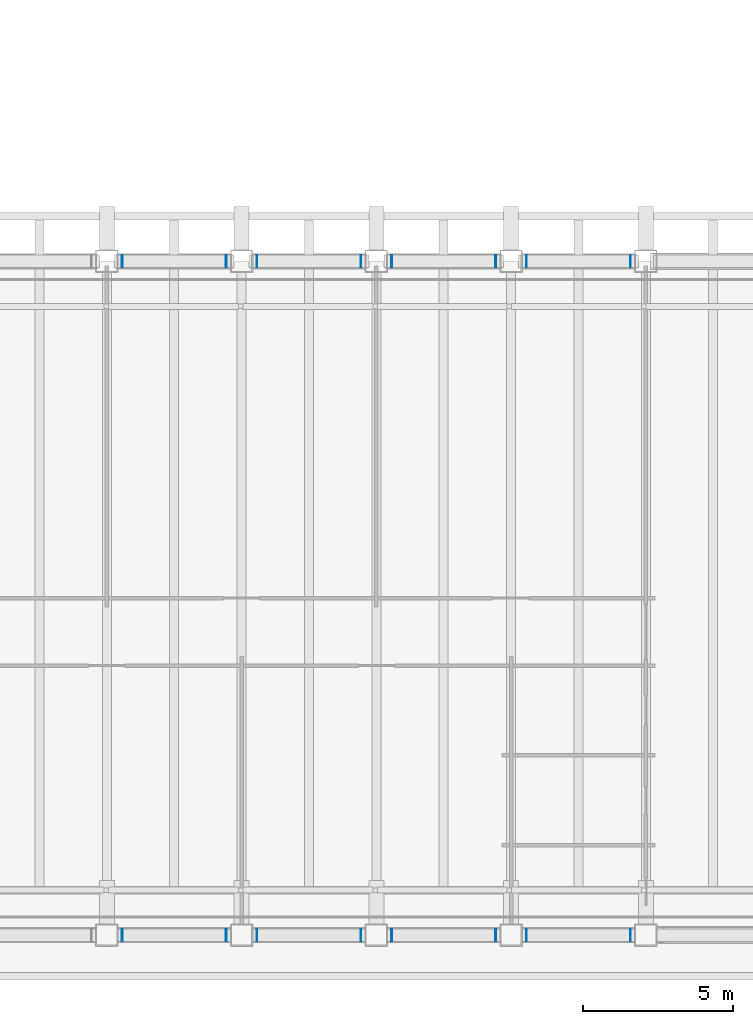
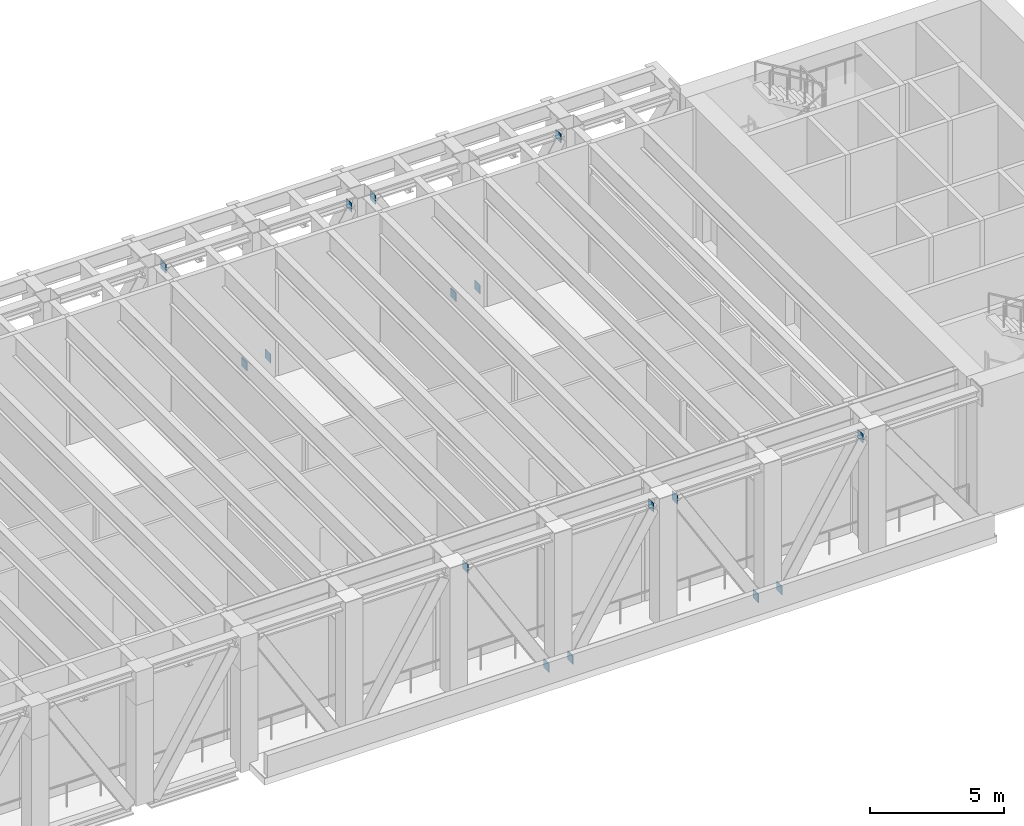
# One storey, part 8 of 20: 16 plates.
"""IFC4 building model written with IfcOpenShell, lengths in metres."""

from ifc_helpers import new_model, si_unit, direction, frame, origin, origin_2d, place, context, subcontext, project, spatial, rectangle, extrude, material, layer, layer_set, type_object, element, save


model = new_model("IFC4")

# Units and contexts
model_context = context("Model", 3, precision=1e-05, world=origin(), true_north=direction((0.0, 1.0)))
body_context = subcontext(model_context, "Body", "Model", "MODEL_VIEW")
ifc_project = project(units=[si_unit("LENGTHUNIT", "METRE"), si_unit("AREAUNIT", "SQUARE_METRE"), si_unit("VOLUMEUNIT", "CUBIC_METRE"), si_unit("PLANEANGLEUNIT", "RADIAN"), si_unit("MASSUNIT", "GRAM", prefix="KILO")], contexts=[model_context])

# Site, building, storey
site_placement = place(None, origin())
site = spatial("IfcSite", under=ifc_project, at=site_placement, CompositionType="ELEMENT")
building_placement = place(site_placement, origin())
building = spatial("IfcBuilding", under=site, at=building_placement, Name="Sennacour Bend Tower", CompositionType="ELEMENT")
storey_placement = place(building_placement, frame((0.0, 0.0, 243.0)))
storey = spatial("IfcBuildingStorey", under=building, at=storey_placement, Name="L56", CompositionType="ELEMENT", Elevation=243.0)

# Plates
ifc_material = material(Name="Steel ASTM A572 Grade 50", Category="steel")
ifc_layer = layer(ifc_material, 0.02490234375, Name="Steel ASTM A572 Grade 50", Category="steel")
ifc_layer_set = layer_set([ifc_layer], Name="Steel ASTM A572 Grade 50")
plate_type = type_object("IfcPlateType", Name="Connection end plate 25", PredefinedType="USERDEFINED", material=ifc_layer_set)
for number, where, z_axis, x_axis, name in (
    (1, (32.012451171875, 22.5, 5.195068359375), (0.0, 0.0, 1.0), (-1.0, 0.0, 0.0), "Connection end plate CEP 25"),
    (2, (35.487548828125, 22.5, -0.449951171875), (0.0, 0.0, 1.0), (1.0, 0.0, 0.0), "Connection end plate CEP 25"),
    (3, (36.512451171875, 22.5, -0.449951171875), (0.0, 0.0, 1.0), (-1.0, 0.0, 0.0), "Connection end plate CEP 25"),
    (4, (39.987548828125, 22.5, 5.195068359375), (0.0, 0.0, 1.0), (1.0, 0.0, 0.0), "Connection end plate CEP 25"),
    (5, (41.012451171875, 22.5, 5.195068359375), (0.0, 0.0, 1.0), (-1.0, 0.0, 0.0), "Connection end plate CEP 25"),
    (6, (44.487548828125, 22.5, -0.449951171875), (0.0, 0.0, 1.0), (1.0, 0.0, 0.0), "Connection end plate CEP 25"),
    (7, (45.512451171875, 22.5, -0.449951171875), (0.0, 0.0, 1.0), (-1.0, 0.0, 0.0), "Connection end plate CEP 25"),
    (8, (48.987548828125, 22.5, 5.195068359375), (0.0, 0.0, 1.0), (1.0, 0.0, 0.0), "Connection end plate CEP 25"),
    (9, (48.987548828125, 0.0, 5.195068359375), (0.0, 0.0, 1.0), (1.0, 0.0, 0.0), "Connection end plate CEP 25"),
    (10, (45.512451171875, 0.0, -0.5), (0.0, 0.0, 1.0), (-1.0, 0.0, 0.0), "Connection end plate CEP 25"),
    (11, (44.487548828125, 0.0, -0.5), (0.0, 0.0, 1.0), (1.0, 0.0, 0.0), "Connection end plate CEP 25"),
    (12, (41.012451171875, 0.0, 5.195068359375), (0.0, 0.0, 1.0), (-1.0, 0.0, 0.0), "Connection end plate CEP 25"),
    (13, (39.987548828125, 0.0, 5.195068359375), (0.0, 0.0, 1.0), (1.0, 0.0, 0.0), "Connection end plate CEP 25"),
    (14, (36.512451171875, 0.0, -0.5), (0.0, 0.0, 1.0), (-1.0, 0.0, 0.0), "Connection end plate CEP 25"),
    (15, (35.487548828125, 0.0, -0.5), (0.0, 0.0, 1.0), (1.0, 0.0, 0.0), "Connection end plate CEP 25"),
    (16, (32.012451171875, 0.0, 5.195068359375), (0.0, 0.0, 1.0), (-1.0, 0.0, 0.0), "Connection end plate CEP 25"),
):
    element("IfcPlate", number, at=place(storey_placement, frame(where, z_axis=z_axis, x_axis=x_axis)), inside=storey, type_object=plate_type, Name=name, ObjectType="END PLATE", PredefinedType="USERDEFINED", context=body_context, shape_type="SweptSolid", body=[
        extrude(rectangle(XDim=0.02490234375, YDim=0.39990234375, at=origin_2d()), origin(), (0.0, 0.0, 1.0), 0.39990234375),
    ])

save(model, "model.ifc")
